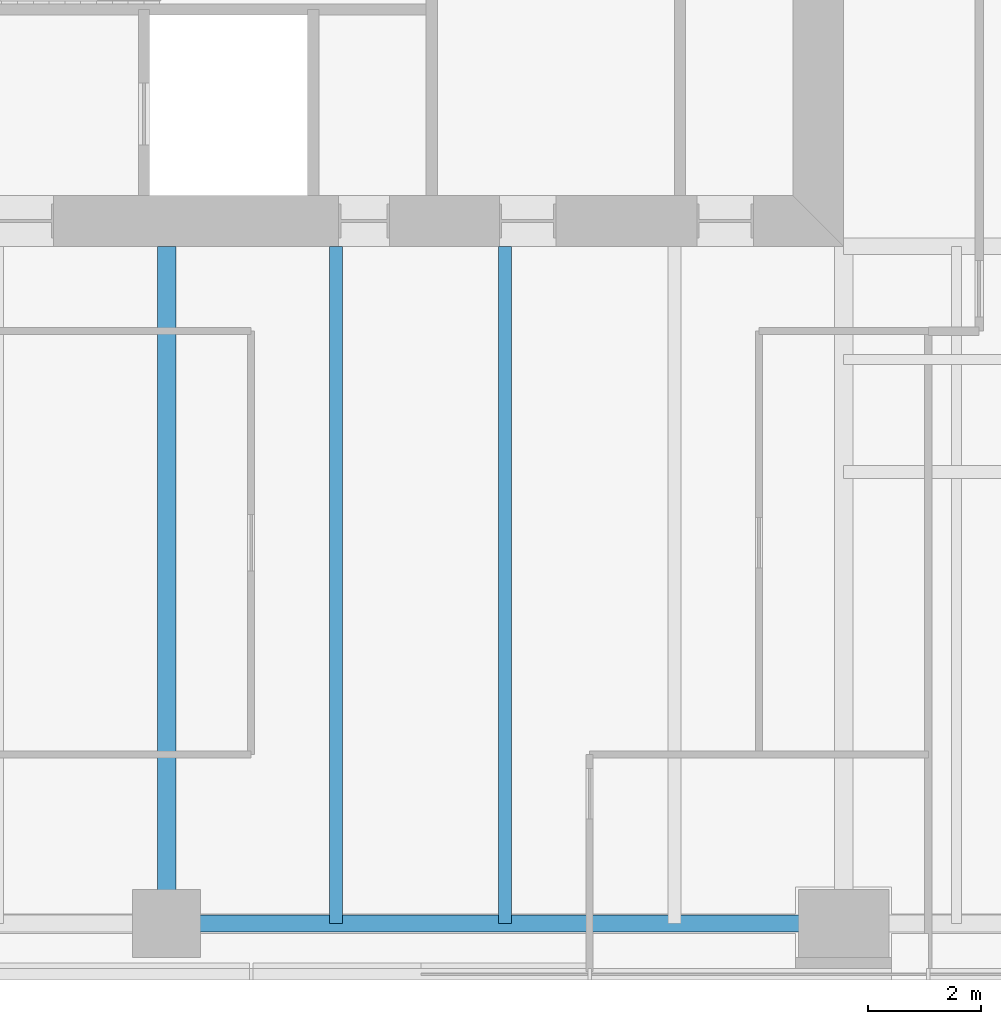
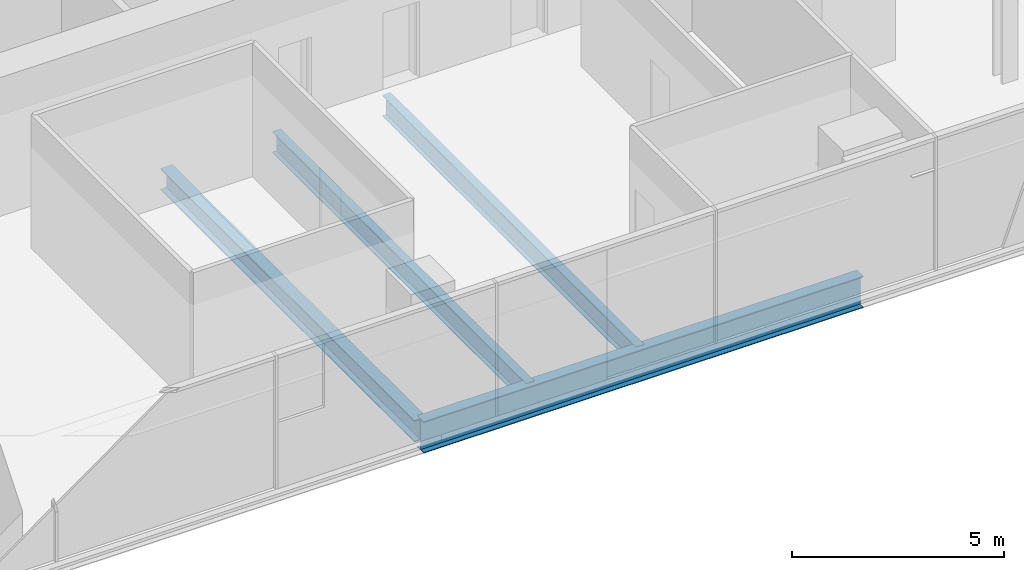
# One storey, part 3 of 16: 4 beams.
"""IFC4 building model written with IfcOpenShell, lengths in metres."""

from ifc_helpers import new_model, si_unit, direction, frame, origin, origin_2d, place, context, subcontext, project, spatial, i_section, extrude, material, material_profile, profile_set, type_object, element, save


model = new_model("IFC4")

# Units and contexts
model_context = context("Model", 3, precision=1e-05, world=origin(), true_north=direction((0.0, 1.0)))
body_context = subcontext(model_context, "Body", "Model", "MODEL_VIEW")
ifc_project = project(units=[si_unit("LENGTHUNIT", "METRE"), si_unit("AREAUNIT", "SQUARE_METRE"), si_unit("VOLUMEUNIT", "CUBIC_METRE"), si_unit("PLANEANGLEUNIT", "RADIAN"), si_unit("MASSUNIT", "GRAM", prefix="KILO")], contexts=[model_context])

# Site, building, storey
site_placement = place(None, origin())
site = spatial("IfcSite", under=ifc_project, at=site_placement, CompositionType="ELEMENT")
building_placement = place(site_placement, origin())
building = spatial("IfcBuilding", under=site, at=building_placement, Name="Fenwick Lantern Interchange", CompositionType="ELEMENT")
storey_placement = place(building_placement, frame((0.0, 0.0, 181.800048828125)))
storey = spatial("IfcBuildingStorey", under=building, at=storey_placement, Name="L42", CompositionType="ELEMENT", Elevation=181.800048828125)

# Beams
ifc_material = material(Name="Steel ASTM A992 Grade 50", Category="steel")
ifc_material_profile_1 = material_profile(ifc_material, i_section(OverallWidth=0.3046875, OverallDepth=0.911865234375, WebThickness=0.015869140625, FlangeThickness=0.02392578125, at=origin_2d()), Name="W36X150")
ifc_profile_set_1 = profile_set([ifc_material_profile_1], Name="Steel ASTM A992 Grade 50")
beam_type_1 = type_object("IfcBeamType", Name="EDGE BEAM W36X150", PredefinedType="SPANDREL", material=ifc_profile_set_1)
beam_1_placement = place(storey_placement, frame((25.0, 1.0, -0.60595703125), z_axis=(1.0, 0.0, 0.0), x_axis=(0.0, 1.0, 0.0)))
element("IfcBeam", 1, at=beam_1_placement, inside=storey, type_object=beam_type_1, Name="L42/FR/S/EB3", PredefinedType="SPANDREL", context=body_context, shape_type="SweptSolid", body=[
    extrude(i_section(OverallWidth=0.3046875, OverallDepth=0.911865234375, WebThickness=0.015869140625, FlangeThickness=0.02392578125, at=origin_2d()), origin(), (0.0, 0.0, 1.0), 12.0),
])
ifc_material_profile_2 = material_profile(ifc_material, i_section(OverallWidth=0.22900390625, OverallDepth=0.612060546875, WebThickness=0.011962890625, FlangeThickness=0.01953125, at=origin_2d()), Name="W24X84")
ifc_profile_set_2 = profile_set([ifc_material_profile_2], Name="Steel ASTM A992 Grade 50")
beam_type_2 = type_object("IfcBeamType", Name="FLOOR BEAM W24X84", PredefinedType="BEAM", material=ifc_profile_set_2)
for number, where, z_axis, x_axis, name in (
    (2, (28.0, 1.0, -0.4560546875), (0.0, 1.0, 0.0), (-1.0, 0.0, 0.0), "L42/FR/S/R06"),
    (3, (31.0, 1.0, -0.4560546875), (0.0, 1.0, 0.0), (-1.0, 0.0, 0.0), "L42/FR/S/R07"),
):
    element("IfcBeam", number, at=place(storey_placement, frame(where, z_axis=z_axis, x_axis=x_axis)), inside=storey, type_object=beam_type_2, Name=name, PredefinedType="BEAM", context=body_context, shape_type="SweptSolid", body=[
        extrude(i_section(OverallWidth=0.22900390625, OverallDepth=0.612060546875, WebThickness=0.011962890625, FlangeThickness=0.01953125, at=origin_2d()), origin(), (0.0, 0.0, 1.0), 12.0),
    ])
ifc_material_profile_3 = material_profile(ifc_material, i_section(OverallWidth=0.32763671875, OverallDepth=0.622314453125, WebThickness=0.015380859375, FlangeThickness=0.0244140625, at=origin_2d()), Name="W24X131")
ifc_profile_set_3 = profile_set([ifc_material_profile_3], Name="Steel ASTM A992 Grade 50")
beam_type_3 = type_object("IfcBeamType", Name="MOMENT-CONNECTED GIRDER W24X131", PredefinedType="BEAM", material=ifc_profile_set_3)
beam_2_placement = place(storey_placement, frame((25.0, 1.0, -0.461181640625), z_axis=(0.0, 1.0, 0.0), x_axis=(-1.0, 0.0, 0.0)))
element("IfcBeam", 4, at=beam_2_placement, inside=storey, type_object=beam_type_3, Name="L42/FR/S/R05", PredefinedType="BEAM", context=body_context, shape_type="SweptSolid", body=[
    extrude(i_section(OverallWidth=0.32763671875, OverallDepth=0.622314453125, WebThickness=0.015380859375, FlangeThickness=0.0244140625, at=origin_2d()), origin(), (0.0, 0.0, 1.0), 12.0),
])

save(model, "model.ifc")
